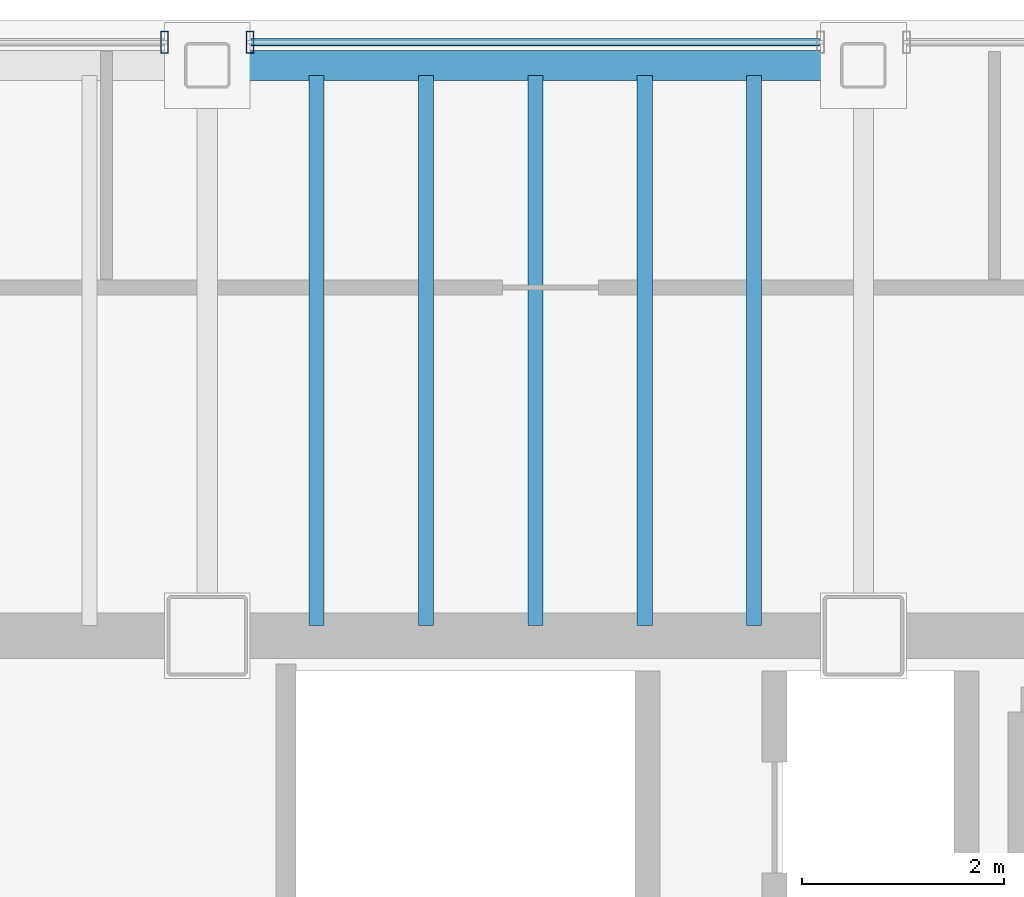
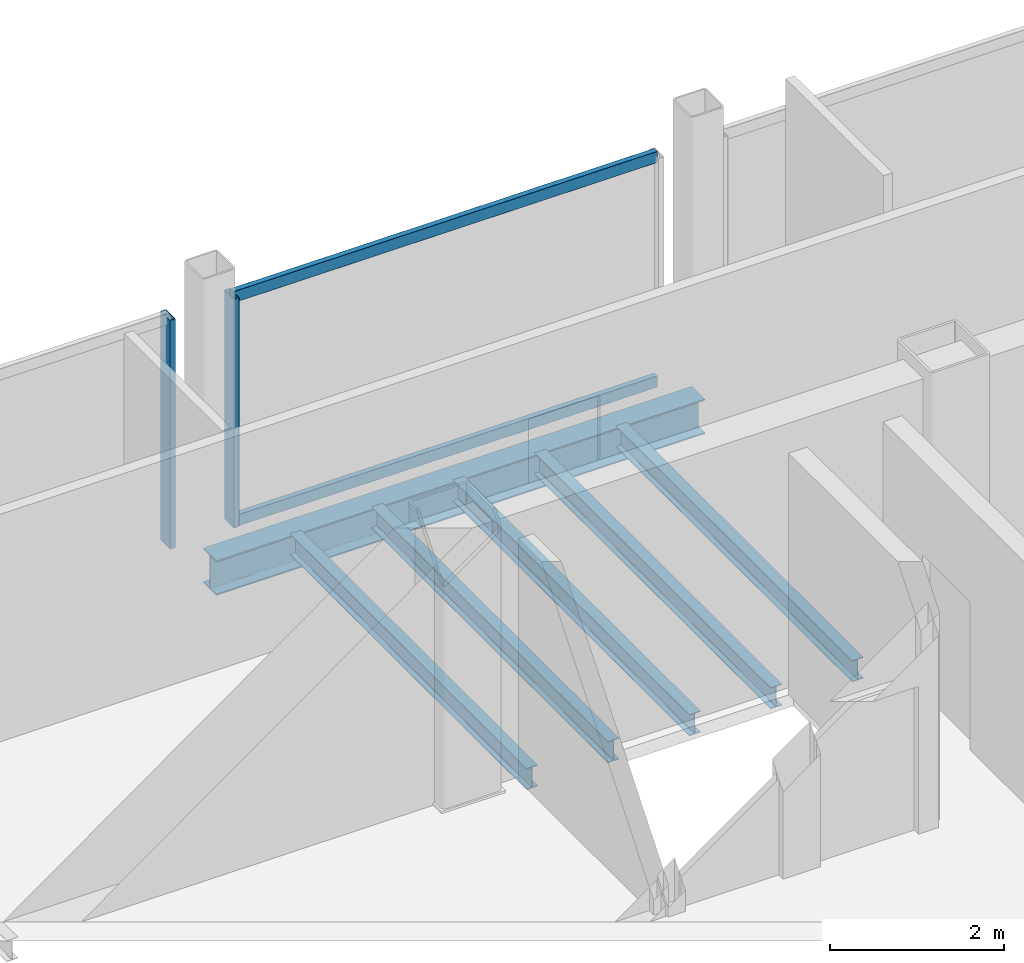
# One storey, part 10 of 17: 6 beams, 4 members, 2 elements without a shape of their own.
"""IFC4 building model written with IfcOpenShell, lengths in metres."""

from ifc_helpers import new_model, si_unit, direction, frame, origin, origin_2d, place, context, subcontext, project, spatial, hollow_rectangle, i_section, extrude, material, material_profile, profile_set, type_object, element, aggregate, save


model = new_model("IFC4")

# Units and contexts
model_context = context("Model", 3, precision=1e-05, world=origin(), true_north=direction((0.0, 1.0)))
body_context = subcontext(model_context, "Body", "Model", "MODEL_VIEW")
ifc_project = project(units=[si_unit("LENGTHUNIT", "METRE"), si_unit("AREAUNIT", "SQUARE_METRE"), si_unit("VOLUMEUNIT", "CUBIC_METRE"), si_unit("PLANEANGLEUNIT", "RADIAN"), si_unit("MASSUNIT", "GRAM", prefix="KILO")], contexts=[model_context])

# Site, building, storey
site_placement = place(None, origin())
site = spatial("IfcSite", under=ifc_project, at=site_placement, CompositionType="ELEMENT")
building_placement = place(site_placement, origin())
building = spatial("IfcBuilding", under=site, at=building_placement, Name="Noeulbin Bourse Tower", CompositionType="ELEMENT")
storey_placement = place(building_placement, frame((0.0, 0.0, 261.800048828125)))
storey = spatial("IfcBuildingStorey", under=building, at=storey_placement, Name="L65", CompositionType="ELEMENT", Elevation=261.800048828125)

# Beams
ifc_material_1 = material(Name="Steel S355", Category="steel")
ifc_material_profile_1 = material_profile(ifc_material_1, i_section(OverallWidth=0.14990234375, OverallDepth=0.300048828125, WebThickness=0.006591796875, FlangeThickness=0.009033203125, FilletRadius=0.012939453125, at=origin_2d()), Name="H-300x150x6.5x9", Category="LoadBearing")
ifc_profile_set_1 = profile_set([ifc_material_profile_1], Name="Steel S355")
beam_type_1 = type_object("IfcBeamType", Name="BM-JST-300", PredefinedType="JOIST", material=ifc_profile_set_1)
for number, where, z_axis, x_axis, name in (
    (1, (32.083251953125, 38.39990234375, -0.330078125), (0.0, 1.0, 0.0), (-1.0, 0.0, 0.0), "Tower Composite Joist L65-28"),
    (2, (33.166748046875, 38.39990234375, -0.330078125), (0.0, 1.0, 0.0), (-1.0, 0.0, 0.0), "Tower Composite Joist L65-30"),
    (3, (34.25, 38.39990234375, -0.330078125), (0.0, 1.0, 0.0), (-1.0, 0.0, 0.0), "Tower Composite Joist L65-32"),
    (4, (35.333251953125, 38.39990234375, -0.330078125), (0.0, 1.0, 0.0), (-1.0, 0.0, 0.0), "Tower Composite Joist L65-34"),
    (5, (36.416748046875, 38.39990234375, -0.330078125), (0.0, 1.0, 0.0), (-1.0, 0.0, 0.0), "Tower Composite Joist L65-36"),
):
    element("IfcBeam", number, at=place(storey_placement, frame(where, z_axis=z_axis, x_axis=x_axis)), inside=storey, type_object=beam_type_1, Name=name, PredefinedType="JOIST", context=body_context, shape_type="SweptSolid", body=[
        extrude(i_section(OverallWidth=0.14990234375, OverallDepth=0.300048828125, WebThickness=0.006591796875, FlangeThickness=0.009033203125, FilletRadius=0.012939453125, at=origin_2d()), origin(), (0.0, 0.0, 1.0), 5.4501953125),
    ])
ifc_material_profile_2 = material_profile(ifc_material_1, i_section(OverallWidth=0.300048828125, OverallDepth=0.488037109375, WebThickness=0.010986328125, FlangeThickness=0.01806640625, FilletRadius=0.02197265625, at=origin_2d()), Name="H-488x300x11x18", Category="LoadBearing")
ifc_profile_set_2 = profile_set([ifc_material_profile_2], Name="Steel S355")
beam_type_2 = type_object("IfcBeamType", Name="BM-SPN-488", PredefinedType="SPANDREL", material=ifc_profile_set_2)
beam_placement = place(storey_placement, frame((31.0, 43.949951171875, -0.424072265625), z_axis=(1.0, 0.0, 0.0), x_axis=(0.0, 1.0, 0.0)))
element("IfcBeam", 6, at=beam_placement, inside=storey, type_object=beam_type_2, Name="North Spandrel L65-3", PredefinedType="SPANDREL", context=body_context, shape_type="SweptSolid", body=[
    extrude(i_section(OverallWidth=0.300048828125, OverallDepth=0.488037109375, WebThickness=0.010986328125, FlangeThickness=0.01806640625, FilletRadius=0.02197265625, at=origin_2d()), origin(), (0.0, 0.0, 1.0), 6.5),
])

# Curtain wall, member
ifc_material_2 = material(Name="High-Selectivity Low-Iron Glazing", Category="glass")
curtain_wall_type = type_object("IfcCurtainWallType", Name="CW-SYS-4", PredefinedType="NOTDEFINED", material=ifc_material_2)
curtain_wall_1_placement = place(storey_placement, origin())
curtain_wall_1 = element("IfcCurtainWall", 7, at=curtain_wall_1_placement, inside=storey, type_object=curtain_wall_type, Name="Unitised Curtain Wall CW-L65-N-S3", PredefinedType="NOTDEFINED")
ifc_material_3 = material(Name="Anodised Aluminium 6063-T6", Category="aluminium")
ifc_material_profile_3 = material_profile(ifc_material_3, hollow_rectangle(XDim=0.074951171875, YDim=0.219970703125, WallThickness=0.0048828125, InnerFilletRadius=0.00244140625, OuterFilletRadius=0.0048828125, at=origin_2d()), Name="ALU-MULL-75x220x5", Category="LoadBearing")
ifc_profile_set_3 = profile_set([ifc_material_profile_3], Name="Anodised Aluminium 6063-T6")
member_type_1 = type_object("IfcMemberType", Name="CW-SYS-4-MUL", PredefinedType="MULLION", material=ifc_profile_set_3)
member_1_placement = place(storey_placement, frame((30.574951171875, 44.179931640625, -0.02001953125), z_axis=(0.0, 0.0, 1.0), x_axis=(1.0, 0.0, 0.0)))
member_1 = element("IfcMember", 8, at=member_1_placement, type_object=member_type_1, Name="Curtain Wall Mullion CW-L65-N-S3-M01", PredefinedType="MULLION", context=body_context, shape_type="SweptSolid", body=[
    extrude(hollow_rectangle(XDim=0.074951171875, YDim=0.219970703125, WallThickness=0.0048828125, InnerFilletRadius=0.00244140625, OuterFilletRadius=0.0048828125, at=origin_2d()), origin(), (0.0, 0.0, 1.0), 3.219970703125),
])
aggregate(curtain_wall_1, [member_1])

# Curtain wall, members
curtain_wall_2_placement = place(storey_placement, origin())
curtain_wall_2 = element("IfcCurtainWall", 9, at=curtain_wall_2_placement, inside=storey, type_object=curtain_wall_type, Name="Unitised Curtain Wall CW-L65-N-S4", PredefinedType="NOTDEFINED")
member_2_placement = place(storey_placement, frame((31.425048828125, 44.179931640625, -0.02001953125), z_axis=(0.0, 0.0, 1.0), x_axis=(1.0, 0.0, 0.0)))
member_2 = element("IfcMember", 10, at=member_2_placement, type_object=member_type_1, Name="Curtain Wall Mullion CW-L65-N-S4-M00", PredefinedType="MULLION", context=body_context, shape_type="SweptSolid", body=[
    extrude(hollow_rectangle(XDim=0.074951171875, YDim=0.219970703125, WallThickness=0.0048828125, InnerFilletRadius=0.00244140625, OuterFilletRadius=0.0048828125, at=origin_2d()), origin(), (0.0, 0.0, 1.0), 3.219970703125),
])
ifc_material_profile_4 = material_profile(ifc_material_3, hollow_rectangle(XDim=0.074951171875, YDim=0.159912109375, WallThickness=0.0048828125, InnerFilletRadius=0.00244140625, OuterFilletRadius=0.0048828125, at=origin_2d()), Name="ALU-TRAN-75x160x5", Category="LoadBearing")
ifc_profile_set_4 = profile_set([ifc_material_profile_4], Name="Anodised Aluminium 6063-T6")
member_type_2 = type_object("IfcMemberType", Name="CW-SYS-4-TRN", PredefinedType="USERDEFINED", material=ifc_profile_set_4)
member_3_placement = place(storey_placement, frame((31.43505859375, 44.179931640625, 0.010009765625), z_axis=(1.0, 0.0, 0.0), x_axis=(0.0, 1.0, 0.0)))
member_3 = element("IfcMember", 11, at=member_3_placement, type_object=member_type_2, Name="Curtain Wall Transom CW-L65-N-S4-T00", ObjectType="TRANSOM", PredefinedType="USERDEFINED", context=body_context, shape_type="SweptSolid", body=[
    extrude(hollow_rectangle(XDim=0.074951171875, YDim=0.159912109375, WallThickness=0.0048828125, InnerFilletRadius=0.00244140625, OuterFilletRadius=0.0048828125, at=origin_2d()), origin(), (0.0, 0.0, 1.0), 5.6298828125),
])
member_4_placement = place(storey_placement, frame((31.43505859375, 44.179931640625, 3.169921875), z_axis=(1.0, 0.0, 0.0), x_axis=(0.0, 1.0, 0.0)))
member_4 = element("IfcMember", 12, at=member_4_placement, type_object=member_type_2, Name="Curtain Wall Transom CW-L65-N-S4-T01", ObjectType="TRANSOM", PredefinedType="USERDEFINED", context=body_context, shape_type="SweptSolid", body=[
    extrude(hollow_rectangle(XDim=0.074951171875, YDim=0.159912109375, WallThickness=0.0048828125, InnerFilletRadius=0.00244140625, OuterFilletRadius=0.0048828125, at=origin_2d()), origin(), (0.0, 0.0, 1.0), 5.6298828125),
])
aggregate(curtain_wall_2, [member_2, member_3, member_4])

save(model, "model.ifc")
